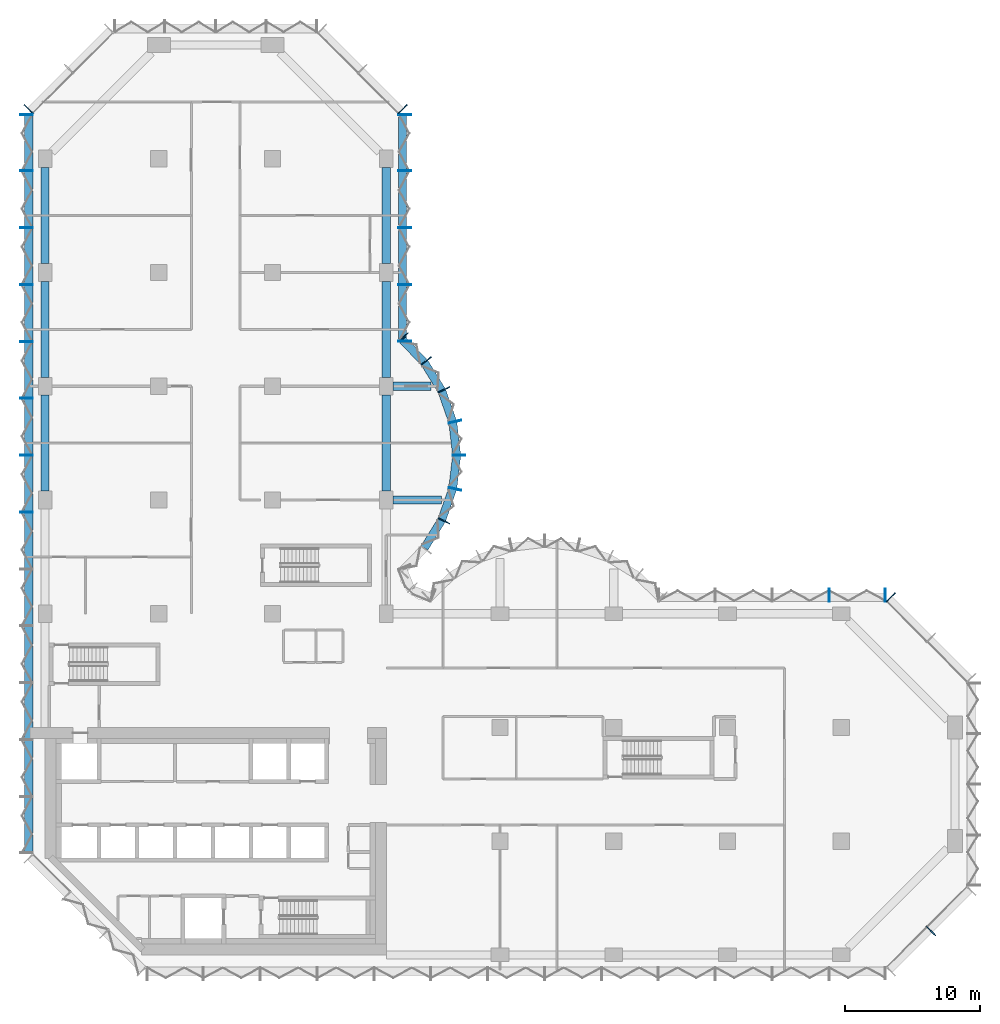
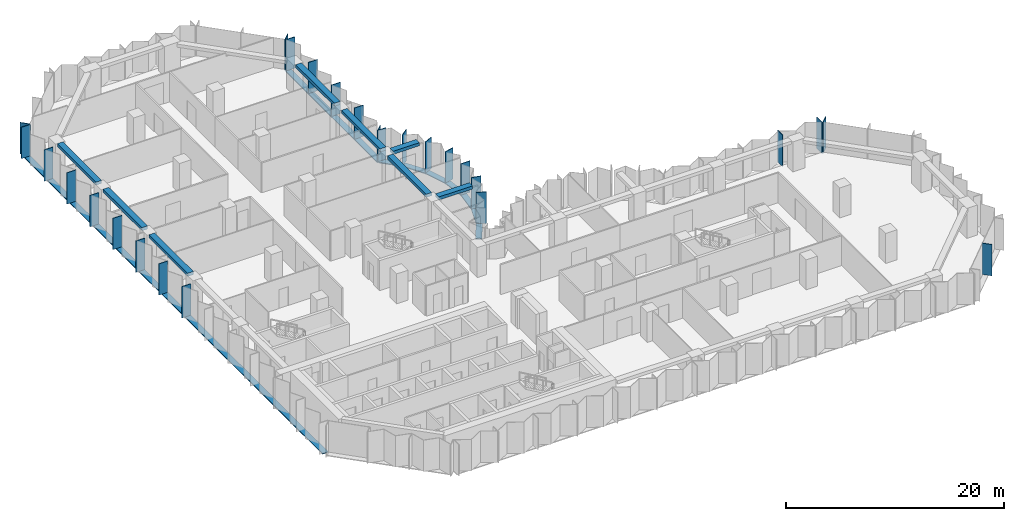
# One storey, part 3 of 13: 35 members, 8 beams, 8 elements without a shape of their own.
"""IFC4 building model written with IfcOpenShell, lengths in metres."""

from ifc_helpers import new_model, si_unit, direction, frame, origin, origin_2d, place, context, subcontext, project, spatial, rectangle, extrude, material, material_profile, profile_set, type_object, element, aggregate, save


model = new_model("IFC4")

# Units and contexts
model_context = context("Model", 3, precision=1e-05, world=origin(), true_north=direction((0.0, 1.0)))
body_context = subcontext(model_context, "Body", "Model", "MODEL_VIEW")
ifc_project = project(units=[si_unit("LENGTHUNIT", "METRE"), si_unit("AREAUNIT", "SQUARE_METRE"), si_unit("VOLUMEUNIT", "CUBIC_METRE"), si_unit("PLANEANGLEUNIT", "RADIAN"), si_unit("MASSUNIT", "GRAM", prefix="KILO")], contexts=[model_context])

# Site, building, storey
site_placement = place(None, origin())
site = spatial("IfcSite", under=ifc_project, at=site_placement, CompositionType="ELEMENT")
building_placement = place(site_placement, origin())
building = spatial("IfcBuilding", under=site, at=building_placement, Name="Brevane Broadcast Tower", CompositionType="ELEMENT")
storey_placement = place(building_placement, frame((0.0, 0.0, 98.89990234375)))
storey = spatial("IfcBuildingStorey", under=building, at=storey_placement, Name="L23", CompositionType="ELEMENT", Elevation=98.89990234375)

# Curtain wall, member
ifc_material_1 = material(Name="Aluminium 6063-T6 bronze anodised", Category="aluminium")
curtain_wall_type = type_object("IfcCurtainWallType", Name="CW-1 curtain wall", PredefinedType="NOTDEFINED", material=ifc_material_1)
curtain_wall_1_placement = place(storey_placement, origin())
curtain_wall_1 = element("IfcCurtainWall", 1, at=curtain_wall_1_placement, inside=storey, type_object=curtain_wall_type, Name="CW-1 typical tilted unit L23 south-east chamfer", PredefinedType="NOTDEFINED")
ifc_material_profile_1 = material_profile(ifc_material_1, rectangle(XDim=0.949951171875, YDim=0.070068359375, at=origin_2d()), Name="RECT 70x950")
ifc_profile_set_1 = profile_set([ifc_material_profile_1], Name="Aluminium 6063-T6 bronze anodised")
member_type_1 = type_object("IfcMemberType", Name="CW-1 mullion 70x950", PredefinedType="MULLION", material=ifc_profile_set_1)
member_1_placement = place(storey_placement, frame((65.435791015625, 1.76416015625, -0.14990234375), z_axis=(0.0, 0.0, 1.0), x_axis=(-0.707106781187, 0.707106781187, 0.0)))
member_1 = element("IfcMember", 2, at=member_1_placement, type_object=member_type_1, Name="CW-1 mullion", PredefinedType="MULLION", context=body_context, shape_type="SweptSolid", body=[
    extrude(rectangle(XDim=0.949951171875, YDim=0.070068359375, at=origin_2d()), origin(), (0.0, 0.0, 1.0), 3.5),
])
aggregate(curtain_wall_1, [member_1])

curtain_wall_2_placement = place(storey_placement, origin())
curtain_wall_2 = element("IfcCurtainWall", 3, at=curtain_wall_2_placement, inside=storey, type_object=curtain_wall_type, Name="CW-1 typical tilted unit L23 north-east chamfer", PredefinedType="NOTDEFINED")
member_2_placement = place(storey_placement, frame((62.460693359375, 26.4111328125, -0.14990234375), z_axis=(0.0, 0.0, 1.0), x_axis=(-0.707106781187, -0.707106781187, 0.0)))
member_2 = element("IfcMember", 4, at=member_2_placement, type_object=member_type_1, Name="CW-1 mullion", PredefinedType="MULLION", context=body_context, shape_type="SweptSolid", body=[
    extrude(rectangle(XDim=0.949951171875, YDim=0.070068359375, at=origin_2d()), origin(), (0.0, 0.0, 1.0), 3.5),
])
aggregate(curtain_wall_2, [member_2])

# Curtain wall, members
curtain_wall_3_placement = place(storey_placement, origin())
curtain_wall_3 = element("IfcCurtainWall", 5, at=curtain_wall_3_placement, inside=storey, type_object=curtain_wall_type, Name="CW-1 typical tilted unit L23 east arm north face", PredefinedType="NOTDEFINED")
member_3_placement = place(storey_placement, frame((62.06494140625, 26.574951171875, -0.14990234375), z_axis=(0.0, 0.0, 1.0), x_axis=(0.0, -1.0, 0.0)))
member_3 = element("IfcMember", 6, at=member_3_placement, type_object=member_type_1, Name="CW-1 mullion", PredefinedType="MULLION", context=body_context, shape_type="SweptSolid", body=[
    extrude(rectangle(XDim=0.949951171875, YDim=0.070068359375, at=origin_2d()), origin(), (0.0, 0.0, 1.0), 3.5),
])
member_4_placement = place(storey_placement, frame((57.89990234375, 26.574951171875, -0.14990234375), z_axis=(0.0, 0.0, 1.0), x_axis=(0.0, -1.0, 0.0)))
member_4 = element("IfcMember", 7, at=member_4_placement, type_object=member_type_1, Name="CW-1 mullion", PredefinedType="MULLION", context=body_context, shape_type="SweptSolid", body=[
    extrude(rectangle(XDim=0.949951171875, YDim=0.070068359375, at=origin_2d()), origin(), (0.0, 0.0, 1.0), 3.5),
])
aggregate(curtain_wall_3, [member_3, member_4])

curtain_wall_4_placement = place(storey_placement, origin())
curtain_wall_4 = element("IfcCurtainWall", 8, at=curtain_wall_4_placement, inside=storey, type_object=curtain_wall_type, Name="CW-1 typical tilted unit L23 north bow", PredefinedType="NOTDEFINED")
member_5_placement = place(storey_placement, frame((29.4580078125, 32.05322265625, -0.14990234375), z_axis=(0.0, 0.0, 1.0), x_axis=(-0.902860508933, 0.429933601163, 0.0)))
member_5 = element("IfcMember", 9, at=member_5_placement, type_object=member_type_1, Name="CW-1 mullion", PredefinedType="MULLION", context=body_context, shape_type="SweptSolid", body=[
    extrude(rectangle(XDim=0.949951171875, YDim=0.070068359375, at=origin_2d()), origin(), (0.0, 0.0, 1.0), 3.5),
])
member_6_placement = place(storey_placement, frame((30.28076171875, 34.411865234375, -0.14990234375), z_axis=(0.0, 0.0, 1.0), x_axis=(-0.974403430594, 0.224806482215, 0.0)))
member_6 = element("IfcMember", 10, at=member_6_placement, type_object=member_type_1, Name="CW-1 mullion", PredefinedType="MULLION", context=body_context, shape_type="SweptSolid", body=[
    extrude(rectangle(XDim=0.949951171875, YDim=0.070068359375, at=origin_2d()), origin(), (0.0, 0.0, 1.0), 3.5),
])
member_7_placement = place(storey_placement, frame((30.574951171875, 36.89990234375, -0.14990234375), z_axis=(0.0, 0.0, 1.0), x_axis=(-1.0, 0.0, 0.0)))
member_7 = element("IfcMember", 11, at=member_7_placement, type_object=member_type_1, Name="CW-1 mullion", PredefinedType="MULLION", context=body_context, shape_type="SweptSolid", body=[
    extrude(rectangle(XDim=0.949951171875, YDim=0.070068359375, at=origin_2d()), origin(), (0.0, 0.0, 1.0), 3.5),
])
member_8_placement = place(storey_placement, frame((30.28076171875, 39.38818359375, -0.14990234375), z_axis=(0.0, 0.0, 1.0), x_axis=(-0.974403430594, -0.224806482215, 0.0)))
member_8 = element("IfcMember", 12, at=member_8_placement, type_object=member_type_1, Name="CW-1 mullion", PredefinedType="MULLION", context=body_context, shape_type="SweptSolid", body=[
    extrude(rectangle(XDim=0.949951171875, YDim=0.070068359375, at=origin_2d()), origin(), (0.0, 0.0, 1.0), 3.5),
])
member_9_placement = place(storey_placement, frame((29.4580078125, 41.746826171875, -0.14990234375), z_axis=(0.0, 0.0, 1.0), x_axis=(-0.902860508933, -0.429933601163, 0.0)))
member_9 = element("IfcMember", 13, at=member_9_placement, type_object=member_type_1, Name="CW-1 mullion", PredefinedType="MULLION", context=body_context, shape_type="SweptSolid", body=[
    extrude(rectangle(XDim=0.949951171875, YDim=0.070068359375, at=origin_2d()), origin(), (0.0, 0.0, 1.0), 3.5),
])
member_10_placement = place(storey_placement, frame((28.1455078125, 43.8720703125, -0.14990234375), z_axis=(0.0, 0.0, 1.0), x_axis=(-0.788706642853, -0.614769738617, 0.0)))
member_10 = element("IfcMember", 14, at=member_10_placement, type_object=member_type_1, Name="CW-1 mullion", PredefinedType="MULLION", context=body_context, shape_type="SweptSolid", body=[
    extrude(rectangle(XDim=0.949951171875, YDim=0.070068359375, at=origin_2d()), origin(), (0.0, 0.0, 1.0), 3.5),
])
member_11_placement = place(storey_placement, frame((26.465087890625, 45.60595703125, -0.14990234375), z_axis=(0.0, 0.0, 1.0), x_axis=(-0.717253872699, -0.696811941702, 0.0)))
member_11 = element("IfcMember", 15, at=member_11_placement, type_object=member_type_1, Name="CW-1 mullion", PredefinedType="MULLION", context=body_context, shape_type="SweptSolid", body=[
    extrude(rectangle(XDim=0.949951171875, YDim=0.070068359375, at=origin_2d()), origin(), (0.0, 0.0, 1.0), 3.5),
])

curtain_wall_5_placement = place(storey_placement, origin())
curtain_wall_5 = element("IfcCurtainWall", 16, at=curtain_wall_5_placement, inside=storey, type_object=curtain_wall_type, Name="CW-1 typical tilted unit L23 north arm east face", PredefinedType="NOTDEFINED")
member_12_placement = place(storey_placement, frame((26.574951171875, 45.3349609375, -0.14990234375), z_axis=(0.0, 0.0, 1.0), x_axis=(-1.0, 0.0, 0.0)))
member_12 = element("IfcMember", 17, at=member_12_placement, type_object=member_type_1, Name="CW-1 mullion", PredefinedType="MULLION", context=body_context, shape_type="SweptSolid", body=[
    extrude(rectangle(XDim=0.949951171875, YDim=0.070068359375, at=origin_2d()), origin(), (0.0, 0.0, 1.0), 3.5),
])
member_13_placement = place(storey_placement, frame((26.574951171875, 49.5, -0.14990234375), z_axis=(0.0, 0.0, 1.0), x_axis=(-1.0, 0.0, 0.0)))
member_13 = element("IfcMember", 18, at=member_13_placement, type_object=member_type_1, Name="CW-1 mullion", PredefinedType="MULLION", context=body_context, shape_type="SweptSolid", body=[
    extrude(rectangle(XDim=0.949951171875, YDim=0.070068359375, at=origin_2d()), origin(), (0.0, 0.0, 1.0), 3.5),
])
member_14_placement = place(storey_placement, frame((26.574951171875, 53.699951171875, -0.14990234375), z_axis=(0.0, 0.0, 1.0), x_axis=(-1.0, 0.0, 0.0)))
member_14 = element("IfcMember", 19, at=member_14_placement, type_object=member_type_1, Name="CW-1 mullion", PredefinedType="MULLION", context=body_context, shape_type="SweptSolid", body=[
    extrude(rectangle(XDim=0.949951171875, YDim=0.070068359375, at=origin_2d()), origin(), (0.0, 0.0, 1.0), 3.5),
])
member_15_placement = place(storey_placement, frame((26.574951171875, 57.89990234375, -0.14990234375), z_axis=(0.0, 0.0, 1.0), x_axis=(-1.0, 0.0, 0.0)))
member_15 = element("IfcMember", 20, at=member_15_placement, type_object=member_type_1, Name="CW-1 mullion", PredefinedType="MULLION", context=body_context, shape_type="SweptSolid", body=[
    extrude(rectangle(XDim=0.949951171875, YDim=0.070068359375, at=origin_2d()), origin(), (0.0, 0.0, 1.0), 3.5),
])
member_16_placement = place(storey_placement, frame((26.574951171875, 62.06494140625, -0.14990234375), z_axis=(0.0, 0.0, 1.0), x_axis=(-1.0, 0.0, 0.0)))
member_16 = element("IfcMember", 21, at=member_16_placement, type_object=member_type_1, Name="CW-1 mullion", PredefinedType="MULLION", context=body_context, shape_type="SweptSolid", body=[
    extrude(rectangle(XDim=0.949951171875, YDim=0.070068359375, at=origin_2d()), origin(), (0.0, 0.0, 1.0), 3.5),
])

# Curtain wall, member
curtain_wall_6_placement = place(storey_placement, origin())
curtain_wall_6 = element("IfcCurtainWall", 22, at=curtain_wall_6_placement, inside=storey, type_object=curtain_wall_type, Name="CW-1 typical tilted unit L23 north arm north-east chamfer", PredefinedType="NOTDEFINED")
member_17_placement = place(storey_placement, frame((26.4111328125, 62.460693359375, -0.14990234375), z_axis=(0.0, 0.0, 1.0), x_axis=(-0.707106781187, -0.707106781187, 0.0)))
member_17 = element("IfcMember", 23, at=member_17_placement, type_object=member_type_1, Name="CW-1 mullion", PredefinedType="MULLION", context=body_context, shape_type="SweptSolid", body=[
    extrude(rectangle(XDim=0.949951171875, YDim=0.070068359375, at=origin_2d()), origin(), (0.0, 0.0, 1.0), 3.5),
])
aggregate(curtain_wall_6, [member_17])

curtain_wall_7_placement = place(storey_placement, origin())
curtain_wall_7 = element("IfcCurtainWall", 24, at=curtain_wall_7_placement, inside=storey, type_object=curtain_wall_type, Name="CW-1 typical tilted unit L23 north-west chamfer", PredefinedType="NOTDEFINED")
member_18_placement = place(storey_placement, frame((-1.211181640625, 62.460693359375, -0.14990234375), z_axis=(0.0, 0.0, 1.0), x_axis=(0.707106781187, -0.707106781187, 0.0)))
member_18 = element("IfcMember", 25, at=member_18_placement, type_object=member_type_1, Name="CW-1 mullion", PredefinedType="MULLION", context=body_context, shape_type="SweptSolid", body=[
    extrude(rectangle(XDim=0.949951171875, YDim=0.070068359375, at=origin_2d()), origin(), (0.0, 0.0, 1.0), 3.5),
])
aggregate(curtain_wall_7, [member_18])

# Curtain wall, members
curtain_wall_8_placement = place(storey_placement, origin())
curtain_wall_8 = element("IfcCurtainWall", 26, at=curtain_wall_8_placement, inside=storey, type_object=curtain_wall_type, Name="CW-1 typical tilted unit L23 west face", PredefinedType="NOTDEFINED")
member_19_placement = place(storey_placement, frame((-1.375, 62.06494140625, -0.14990234375), z_axis=(0.0, 0.0, 1.0), x_axis=(1.0, 0.0, 0.0)))
member_19 = element("IfcMember", 27, at=member_19_placement, type_object=member_type_1, Name="CW-1 mullion", PredefinedType="MULLION", context=body_context, shape_type="SweptSolid", body=[
    extrude(rectangle(XDim=0.949951171875, YDim=0.070068359375, at=origin_2d()), origin(), (0.0, 0.0, 1.0), 3.5),
])
member_20_placement = place(storey_placement, frame((-1.375, 57.89990234375, -0.14990234375), z_axis=(0.0, 0.0, 1.0), x_axis=(1.0, 0.0, 0.0)))
member_20 = element("IfcMember", 28, at=member_20_placement, type_object=member_type_1, Name="CW-1 mullion", PredefinedType="MULLION", context=body_context, shape_type="SweptSolid", body=[
    extrude(rectangle(XDim=0.949951171875, YDim=0.070068359375, at=origin_2d()), origin(), (0.0, 0.0, 1.0), 3.5),
])
member_21_placement = place(storey_placement, frame((-1.375, 53.699951171875, -0.14990234375), z_axis=(0.0, 0.0, 1.0), x_axis=(1.0, 0.0, 0.0)))
member_21 = element("IfcMember", 29, at=member_21_placement, type_object=member_type_1, Name="CW-1 mullion", PredefinedType="MULLION", context=body_context, shape_type="SweptSolid", body=[
    extrude(rectangle(XDim=0.949951171875, YDim=0.070068359375, at=origin_2d()), origin(), (0.0, 0.0, 1.0), 3.5),
])
member_22_placement = place(storey_placement, frame((-1.375, 49.5, -0.14990234375), z_axis=(0.0, 0.0, 1.0), x_axis=(1.0, 0.0, 0.0)))
member_22 = element("IfcMember", 30, at=member_22_placement, type_object=member_type_1, Name="CW-1 mullion", PredefinedType="MULLION", context=body_context, shape_type="SweptSolid", body=[
    extrude(rectangle(XDim=0.949951171875, YDim=0.070068359375, at=origin_2d()), origin(), (0.0, 0.0, 1.0), 3.5),
])
member_23_placement = place(storey_placement, frame((-1.375, 45.300048828125, -0.14990234375), z_axis=(0.0, 0.0, 1.0), x_axis=(1.0, 0.0, 0.0)))
member_23 = element("IfcMember", 31, at=member_23_placement, type_object=member_type_1, Name="CW-1 mullion", PredefinedType="MULLION", context=body_context, shape_type="SweptSolid", body=[
    extrude(rectangle(XDim=0.949951171875, YDim=0.070068359375, at=origin_2d()), origin(), (0.0, 0.0, 1.0), 3.5),
])
member_24_placement = place(storey_placement, frame((-1.375, 41.10009765625, -0.14990234375), z_axis=(0.0, 0.0, 1.0), x_axis=(1.0, 0.0, 0.0)))
member_24 = element("IfcMember", 32, at=member_24_placement, type_object=member_type_1, Name="CW-1 mullion", PredefinedType="MULLION", context=body_context, shape_type="SweptSolid", body=[
    extrude(rectangle(XDim=0.949951171875, YDim=0.070068359375, at=origin_2d()), origin(), (0.0, 0.0, 1.0), 3.5),
])
member_25_placement = place(storey_placement, frame((-1.375, 36.89990234375, -0.14990234375), z_axis=(0.0, 0.0, 1.0), x_axis=(1.0, 0.0, 0.0)))
member_25 = element("IfcMember", 33, at=member_25_placement, type_object=member_type_1, Name="CW-1 mullion", PredefinedType="MULLION", context=body_context, shape_type="SweptSolid", body=[
    extrude(rectangle(XDim=0.949951171875, YDim=0.070068359375, at=origin_2d()), origin(), (0.0, 0.0, 1.0), 3.5),
])
member_26_placement = place(storey_placement, frame((-1.375, 32.699951171875, -0.14990234375), z_axis=(0.0, 0.0, 1.0), x_axis=(1.0, 0.0, 0.0)))
member_26 = element("IfcMember", 34, at=member_26_placement, type_object=member_type_1, Name="CW-1 mullion", PredefinedType="MULLION", context=body_context, shape_type="SweptSolid", body=[
    extrude(rectangle(XDim=0.949951171875, YDim=0.070068359375, at=origin_2d()), origin(), (0.0, 0.0, 1.0), 3.5),
])

# Member
ifc_material_profile_2 = material_profile(ifc_material_1, rectangle(XDim=0.60009765625, YDim=0.10009765625, at=origin_2d()), Name="RECT 100x600")
ifc_profile_set_2 = profile_set([ifc_material_profile_2], Name="Aluminium 6063-T6 bronze anodised")
member_type_2 = type_object("IfcMemberType", Name="CW-1 transom 100x600", PredefinedType="USERDEFINED", material=ifc_profile_set_2)
member_27_placement = place(storey_placement, frame((28.023193359375, 30.0576171875, -0.199951171875), z_axis=(0.525427766759, 0.850838211365, 0.0), x_axis=(-0.850838211365, 0.525427766759, 0.0)))
member_27 = element("IfcMember", 35, at=member_27_placement, type_object=member_type_2, Name="CW-1 transom", ObjectType="TRANSOM", PredefinedType="USERDEFINED", context=body_context, shape_type="SweptSolid", body=[
    extrude(rectangle(XDim=0.60009765625, YDim=0.10009765625, at=origin_2d()), origin(), (0.0, 0.0, 1.0), 2.394775390625),
])

member_28_placement = place(storey_placement, frame((29.314208984375, 32.163818359375, -0.199951171875), z_axis=(0.329378497041, 0.944197969542, 0.0), x_axis=(-0.944197969542, 0.329378497041, 0.0)))
member_28 = element("IfcMember", 36, at=member_28_placement, type_object=member_type_2, Name="CW-1 transom", ObjectType="TRANSOM", PredefinedType="USERDEFINED", context=body_context, shape_type="SweptSolid", body=[
    extrude(rectangle(XDim=0.60009765625, YDim=0.10009765625, at=origin_2d()), origin(), (0.0, 0.0, 1.0), 2.394775390625),
])

member_29_placement = place(storey_placement, frame((30.117431640625, 34.499755859375, -0.199951171875), z_axis=(0.117603307202, 0.993060653805, 0.0), x_axis=(-0.993060653805, 0.117603307202, 0.0)))
member_29 = element("IfcMember", 37, at=member_29_placement, type_object=member_type_2, Name="CW-1 transom", ObjectType="TRANSOM", PredefinedType="USERDEFINED", context=body_context, shape_type="SweptSolid", body=[
    extrude(rectangle(XDim=0.60009765625, YDim=0.10009765625, at=origin_2d()), origin(), (0.0, 0.0, 1.0), 2.397705078125),
])

member_30_placement = place(storey_placement, frame((30.3994140625, 36.9189453125, -0.199951171875), z_axis=(-0.117591417, 0.993062061831, 0.0), x_axis=(-0.993062061831, -0.117591417, 0.0)))
member_30 = element("IfcMember", 38, at=member_30_placement, type_object=member_type_2, Name="CW-1 transom", ObjectType="TRANSOM", PredefinedType="USERDEFINED", context=body_context, shape_type="SweptSolid", body=[
    extrude(rectangle(XDim=0.60009765625, YDim=0.10009765625, at=origin_2d()), origin(), (0.0, 0.0, 1.0), 2.39794921875),
])

member_31_placement = place(storey_placement, frame((30.10302734375, 39.375, -0.199951171875), z_axis=(-0.329378497041, 0.944197969542, 0.0), x_axis=(-0.944197969542, -0.329378497041, 0.0)))
member_31 = element("IfcMember", 39, at=member_31_placement, type_object=member_type_2, Name="CW-1 transom", ObjectType="TRANSOM", PredefinedType="USERDEFINED", context=body_context, shape_type="SweptSolid", body=[
    extrude(rectangle(XDim=0.60009765625, YDim=0.10009765625, at=origin_2d()), origin(), (0.0, 0.0, 1.0), 2.394775390625),
])

member_32_placement = place(storey_placement, frame((29.281494140625, 41.704833984375, -0.199951171875), z_axis=(-0.525473345162, 0.850810063131, 0.0), x_axis=(-0.850810063131, -0.525473345162, 0.0)))
member_32 = element("IfcMember", 40, at=member_32_placement, type_object=member_type_2, Name="CW-1 transom", ObjectType="TRANSOM", PredefinedType="USERDEFINED", context=body_context, shape_type="SweptSolid", body=[
    extrude(rectangle(XDim=0.60009765625, YDim=0.10009765625, at=origin_2d()), origin(), (0.0, 0.0, 1.0), 2.39453125),
])

member_33_placement = place(storey_placement, frame((27.974365234375, 43.800537109375, -0.199951171875), z_axis=(-0.696823999134, 0.71724215871, 0.0), x_axis=(-0.71724215871, -0.696823999134, 0.0)))
member_33 = element("IfcMember", 41, at=member_33_placement, type_object=member_type_2, Name="CW-1 transom", ObjectType="TRANSOM", PredefinedType="USERDEFINED", context=body_context, shape_type="SweptSolid", body=[
    extrude(rectangle(XDim=0.60009765625, YDim=0.10009765625, at=origin_2d()), origin(), (0.0, 0.0, 1.0), 2.247802734375),
])

aggregate(curtain_wall_4, [member_5, member_6, member_7, member_8, member_9, member_10, member_11, member_27, member_28, member_29, member_30, member_31, member_32, member_33])

member_34_placement = place(storey_placement, frame((26.39990234375, 45.300048828125, -0.199951171875), z_axis=(0.0, 1.0, 0.0), x_axis=(-1.0, 0.0, 0.0)))
member_34 = element("IfcMember", 42, at=member_34_placement, type_object=member_type_2, Name="CW-1 transom", ObjectType="TRANSOM", PredefinedType="USERDEFINED", context=body_context, shape_type="SweptSolid", body=[
    extrude(rectangle(XDim=0.60009765625, YDim=0.10009765625, at=origin_2d()), origin(), (0.0, 0.0, 1.0), 16.800048828125),
])

aggregate(curtain_wall_5, [member_12, member_13, member_14, member_15, member_16, member_34])

member_35_placement = place(storey_placement, frame((-1.199951171875, 62.10009765625, -0.199951171875), z_axis=(0.0, -1.0, 0.0), x_axis=(1.0, 0.0, 0.0)))
member_35 = element("IfcMember", 43, at=member_35_placement, type_object=member_type_2, Name="CW-1 transom", ObjectType="TRANSOM", PredefinedType="USERDEFINED", context=body_context, shape_type="SweptSolid", body=[
    extrude(rectangle(XDim=0.60009765625, YDim=0.10009765625, at=origin_2d()), origin(), (0.0, 0.0, 1.0), 54.60009765625),
])

aggregate(curtain_wall_8, [member_19, member_20, member_21, member_22, member_23, member_24, member_25, member_26, member_35])

# Beams
ifc_material_2 = material(Name="Concrete C40/50", Category="concrete")
ifc_material_profile_3 = material_profile(ifc_material_2, rectangle(XDim=0.60009765625, YDim=0.35009765625, at=origin_2d()), Name="RC 600x350")
ifc_profile_set_3 = profile_set([ifc_material_profile_3], Name="Concrete C40/50")
beam_type_1 = type_object("IfcBeamType", Name="RC BRACKET BEAM 600x350 C40/50", PredefinedType="BEAM", material=ifc_profile_set_3)
beam_1_placement = place(storey_placement, frame((25.699951171875, 33.60009765625, 3.175048828125), z_axis=(1.0, 0.0, 0.0), x_axis=(0.0, 1.0, 0.0)))
element("IfcBeam", 44, at=beam_1_placement, inside=storey, type_object=beam_type_1, Name="EB2 L23-1", PredefinedType="BEAM", context=body_context, shape_type="SweptSolid", body=[
    extrude(rectangle(XDim=0.60009765625, YDim=0.35009765625, at=origin_2d()), origin(), (0.0, 0.0, 1.0), 3.56201171875),
])
beam_2_placement = place(storey_placement, frame((25.699951171875, 42.0, 3.175048828125), z_axis=(1.0, 0.0, 0.0), x_axis=(0.0, 1.0, 0.0)))
element("IfcBeam", 45, at=beam_2_placement, inside=storey, type_object=beam_type_1, Name="EB2 L23-2", PredefinedType="BEAM", context=body_context, shape_type="SweptSolid", body=[
    extrude(rectangle(XDim=0.60009765625, YDim=0.35009765625, at=origin_2d()), origin(), (0.0, 0.0, 1.0), 2.8115234375),
])
ifc_material_profile_4 = material_profile(ifc_material_2, rectangle(XDim=0.60009765625, YDim=0.35009765625, at=origin_2d()), Name="RC 600x350")
ifc_profile_set_4 = profile_set([ifc_material_profile_4], Name="Concrete C40/50")
beam_type_2 = type_object("IfcBeamType", Name="RC SPANDREL BEAM 600x350 C40/50", PredefinedType="SPANDREL", material=ifc_profile_set_4)
for number, where, z_axis, x_axis, name in (
    (46, (25.199951171875, 34.25, 3.175048828125), (0.0, 1.0, 0.0), (-1.0, 0.0, 0.0), "EB1 L23-13"),
    (47, (25.199951171875, 42.64990234375, 3.175048828125), (0.0, 1.0, 0.0), (-1.0, 0.0, 0.0), "EB1 L23-14"),
):
    element("IfcBeam", number, at=place(storey_placement, frame(where, z_axis=z_axis, x_axis=x_axis)), inside=storey, type_object=beam_type_2, Name=name, PredefinedType="SPANDREL", context=body_context, shape_type="SweptSolid", body=[
        extrude(rectangle(XDim=0.60009765625, YDim=0.35009765625, at=origin_2d()), origin(), (0.0, 0.0, 1.0), 7.10009765625),
    ])
for number, where, z_axis, x_axis, name in (
    (48, (25.199951171875, 51.050048828125, 3.175048828125), (0.0, 1.0, 0.0), (-1.0, 0.0, 0.0), "EB1 L23-15"),
    (49, (0.0, 58.14990234375, 3.175048828125), (0.0, -1.0, 0.0), (1.0, 0.0, 0.0), "EB1 L23-19"),
):
    element("IfcBeam", number, at=place(storey_placement, frame(where, z_axis=z_axis, x_axis=x_axis)), inside=storey, type_object=beam_type_2, Name=name, PredefinedType="SPANDREL", context=body_context, shape_type="SweptSolid", body=[
        extrude(rectangle(XDim=0.60009765625, YDim=0.35009765625, at=origin_2d()), origin(), (0.0, 0.0, 1.0), 7.099853515625),
    ])
for number, where, z_axis, x_axis, name in (
    (50, (0.0, 49.75, 3.175048828125), (0.0, -1.0, 0.0), (1.0, 0.0, 0.0), "EB1 L23-20"),
    (51, (0.0, 41.35009765625, 3.175048828125), (0.0, -1.0, 0.0), (1.0, 0.0, 0.0), "EB1 L23-21"),
):
    element("IfcBeam", number, at=place(storey_placement, frame(where, z_axis=z_axis, x_axis=x_axis)), inside=storey, type_object=beam_type_2, Name=name, PredefinedType="SPANDREL", context=body_context, shape_type="SweptSolid", body=[
        extrude(rectangle(XDim=0.60009765625, YDim=0.35009765625, at=origin_2d()), origin(), (0.0, 0.0, 1.0), 7.10009765625),
    ])

save(model, "model.ifc")
